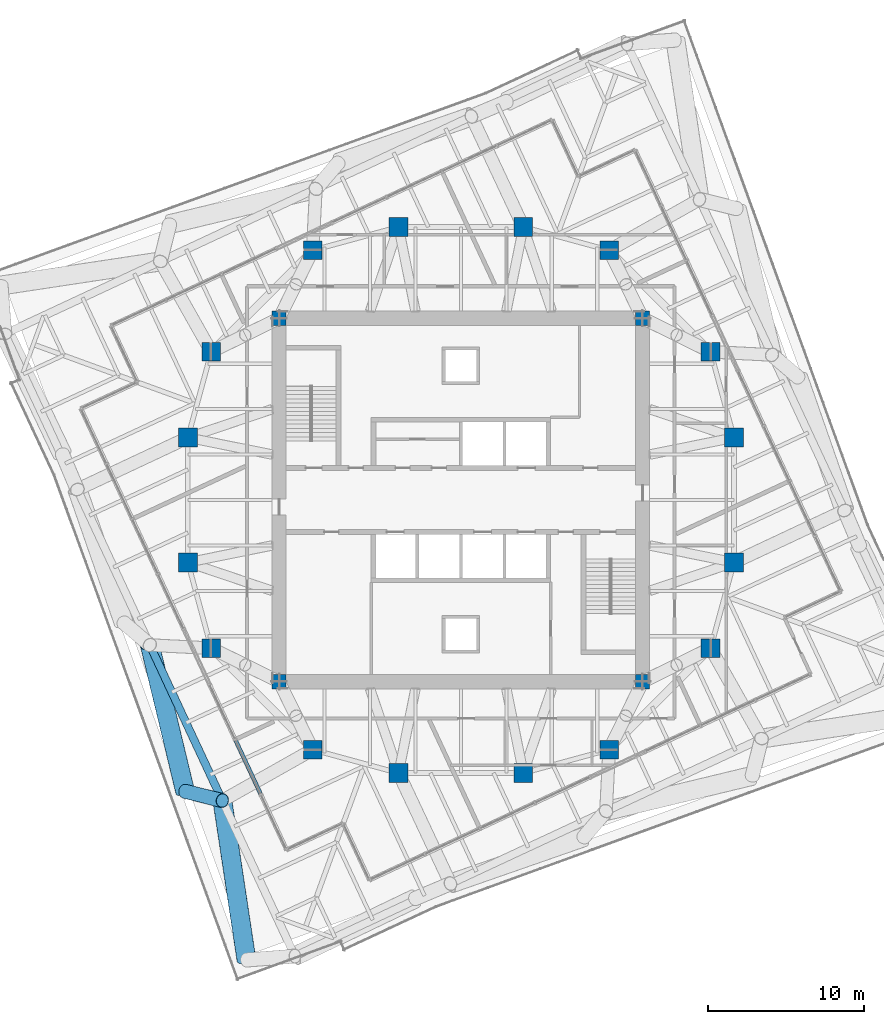
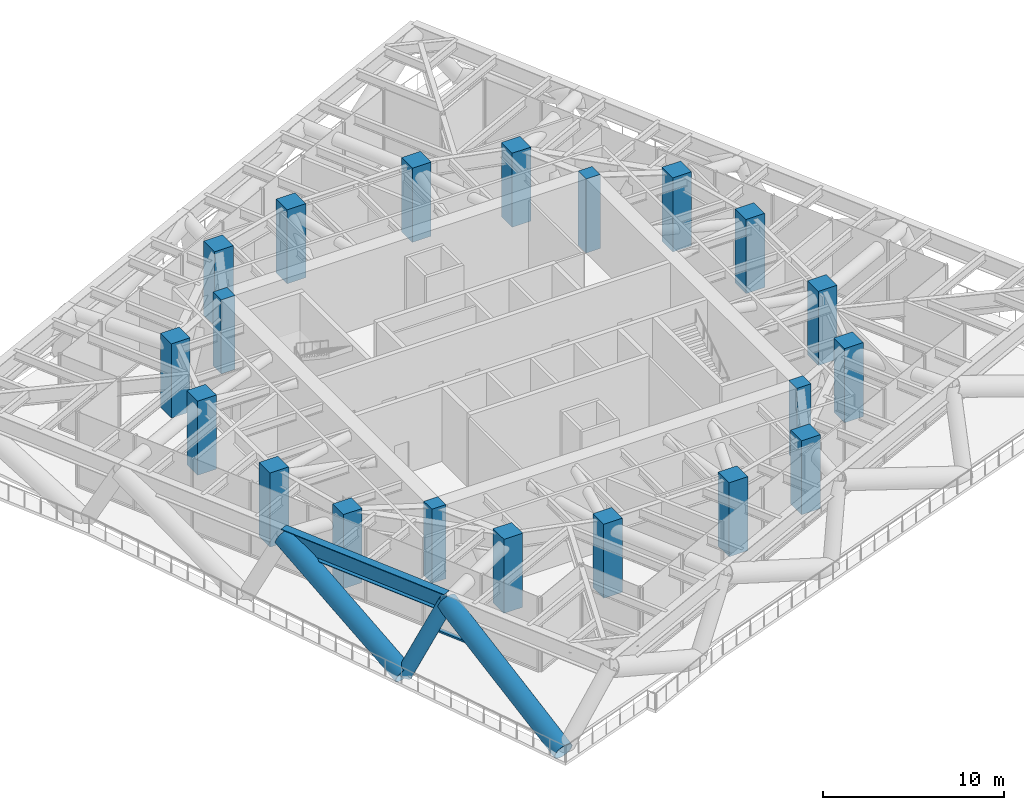
# One storey, part 1 of 16: 20 columns, 4 members, 1 beam, 1 element without a shape of its own.
"""IFC4 building model written with IfcOpenShell, lengths in metres."""

from ifc_helpers import new_model, si_unit, direction, frame, origin, origin_2d, place, context, subcontext, project, spatial, rectangle, hollow_circle, i_section, extrude, material, material_profile, profile_set, type_object, element, aggregate, save


model = new_model("IFC4")

# Units and contexts
model_context = context("Model", 3, precision=1e-05, world=origin(), true_north=direction((0.0, 1.0)))
body_context = subcontext(model_context, "Body", "Model", "MODEL_VIEW")
ifc_project = project(units=[si_unit("LENGTHUNIT", "METRE"), si_unit("AREAUNIT", "SQUARE_METRE"), si_unit("VOLUMEUNIT", "CUBIC_METRE"), si_unit("PLANEANGLEUNIT", "RADIAN"), si_unit("MASSUNIT", "GRAM", prefix="KILO")], contexts=[model_context])

# Site, building, storey
site_placement = place(None, origin())
site = spatial("IfcSite", under=ifc_project, at=site_placement, CompositionType="ELEMENT")
building_placement = place(site_placement, origin())
building = spatial("IfcBuilding", under=site, at=building_placement, Name="Torsade Residences", CompositionType="ELEMENT")
storey_placement = place(building_placement, frame((0.0, 0.0, 171.0)))
storey = spatial("IfcBuildingStorey", under=building, at=storey_placement, Name="L47", CompositionType="ELEMENT", Elevation=171.0)

# Columns
ifc_material_1 = material(Name="Concrete 80 MPa", Category="concrete")
ifc_material_profile_1 = material_profile(ifc_material_1, rectangle(XDim=0.89990234375, YDim=0.89990234375, at=origin_2d()), Name="RC 900x900")
ifc_profile_set_1 = profile_set([ifc_material_profile_1], Name="Concrete 80 MPa")
column_type_1 = type_object("IfcColumnType", Name="CORE CORNER COLUMN RC 900x900", PredefinedType="COLUMN", material=ifc_profile_set_1)
for number, where, z_axis, x_axis, name in (
    (1, (28.35009765625, 18.35009765625, 0.0), (0.0, 0.0, 1.0), (1.0, 0.0, 0.0), "Core corner column CC1 L47"),
    (2, (51.64990234375, 18.35009765625, 0.0), (0.0, 0.0, 1.0), (1.0, 0.0, 0.0), "Core corner column CC2 L47"),
    (3, (51.64990234375, 41.64990234375, 0.0), (0.0, 0.0, 1.0), (1.0, 0.0, 0.0), "Core corner column CC3 L47"),
    (4, (28.35009765625, 41.64990234375, 0.0), (0.0, 0.0, 1.0), (1.0, 0.0, 0.0), "Core corner column CC4 L47"),
):
    element("IfcColumn", number, at=place(storey_placement, frame(where, z_axis=z_axis, x_axis=x_axis)), inside=storey, type_object=column_type_1, Name=name, PredefinedType="COLUMN", context=body_context, shape_type="SweptSolid", body=[
        extrude(rectangle(XDim=0.89990234375, YDim=0.89990234375, at=origin_2d()), origin(), (0.0, 0.0, 1.0), 5.0),
    ])
ifc_material_2 = material(Name="Concrete 80 MPa", Category="concrete")
ifc_material_profile_2 = material_profile(ifc_material_2, rectangle(XDim=1.199951171875, YDim=1.199951171875, at=origin_2d()), Name="RC 1200x1200")
ifc_profile_set_2 = profile_set([ifc_material_profile_2], Name="Concrete 80 MPa")
column_type_2 = type_object("IfcColumnType", Name="INNER RING COLUMN RC 1200x1200", PredefinedType="COLUMN", material=ifc_profile_set_2)
for number, where, z_axis, x_axis, name in (
    (5, (57.5, 26.0, 0.0), (0.0, 0.0, 1.0), (1.0, 0.0, 0.0), "Inner ring column IR01 L47"),
    (6, (57.5, 34.0, 0.0), (0.0, 0.0, 1.0), (1.0, 0.0, 0.0), "Inner ring column IR02 L47"),
    (7, (56.0, 39.5, 0.0), (0.0, 0.0, 1.0), (1.0, 0.0, 0.0), "Inner ring column IR03 L47"),
    (8, (49.5, 46.0, 0.0), (0.0, 0.0, 1.0), (1.0, 0.0, 0.0), "Inner ring column IR04 L47"),
    (9, (44.0, 47.5, 0.0), (0.0, 0.0, 1.0), (1.0, 0.0, 0.0), "Inner ring column IR05 L47"),
    (10, (36.0, 47.5, 0.0), (0.0, 0.0, 1.0), (1.0, 0.0, 0.0), "Inner ring column IR06 L47"),
    (11, (30.5, 46.0, 0.0), (0.0, 0.0, 1.0), (1.0, 0.0, 0.0), "Inner ring column IR07 L47"),
    (12, (24.0, 39.5, 0.0), (0.0, 0.0, 1.0), (1.0, 0.0, 0.0), "Inner ring column IR08 L47"),
    (13, (22.5, 34.0, 0.0), (0.0, 0.0, 1.0), (1.0, 0.0, 0.0), "Inner ring column IR09 L47"),
    (14, (22.5, 26.0, 0.0), (0.0, 0.0, 1.0), (1.0, 0.0, 0.0), "Inner ring column IR10 L47"),
    (15, (24.0, 20.5, 0.0), (0.0, 0.0, 1.0), (1.0, 0.0, 0.0), "Inner ring column IR11 L47"),
    (16, (30.5, 14.0, 0.0), (0.0, 0.0, 1.0), (1.0, 0.0, 0.0), "Inner ring column IR12 L47"),
    (17, (36.0, 12.5, 0.0), (0.0, 0.0, 1.0), (1.0, 0.0, 0.0), "Inner ring column IR13 L47"),
    (18, (44.0, 12.5, 0.0), (0.0, 0.0, 1.0), (1.0, 0.0, 0.0), "Inner ring column IR14 L47"),
    (19, (49.5, 14.0, 0.0), (0.0, 0.0, 1.0), (1.0, 0.0, 0.0), "Inner ring column IR15 L47"),
    (20, (56.0, 20.5, 0.0), (0.0, 0.0, 1.0), (1.0, 0.0, 0.0), "Inner ring column IR16 L47"),
):
    element("IfcColumn", number, at=place(storey_placement, frame(where, z_axis=z_axis, x_axis=x_axis)), inside=storey, type_object=column_type_2, Name=name, PredefinedType="COLUMN", context=body_context, shape_type="SweptSolid", body=[
        extrude(rectangle(XDim=1.199951171875, YDim=1.199951171875, at=origin_2d()), origin(), (0.0, 0.0, 1.0), 5.0),
    ])

# Curtain wall, member
ifc_material_3 = material(Name="Aluminium and glass", Category="aluminium")
curtain_wall_type = type_object("IfcCurtainWallType", Name="TRANSFER LEVEL CURTAIN WALL LOW ZONE", PredefinedType="NOTDEFINED", material=ifc_material_3)
curtain_wall_placement = place(storey_placement, origin())
curtain_wall = element("IfcCurtainWall", 21, at=curtain_wall_placement, inside=storey, type_object=curtain_wall_type, Name="Curtain wall L47 face 10", PredefinedType="NOTDEFINED")
ifc_material_4 = material(Name="Aluminium transom", Category="aluminium")
ifc_material_profile_3 = material_profile(ifc_material_4, rectangle(XDim=0.25, YDim=0.1201171875, at=origin_2d()), Name="TRANSFER LEVEL CURTAIN WALL TRANSOM 250x120")
ifc_profile_set_3 = profile_set([ifc_material_profile_3], Name="Aluminium transom")
member_type_1 = type_object("IfcMemberType", Name="TRANSFER LEVEL CURTAIN WALL TRANSOM 250x120", PredefinedType="USERDEFINED", material=ifc_profile_set_3)
member_1_placement = place(storey_placement, frame((25.553955078125, 14.60205078125, 0.06005859375), z_axis=(0.422632203217, -0.906301285889, 0.0), x_axis=(0.906301285889, 0.422632203217, 0.0)))
member_1 = element("IfcMember", 22, at=member_1_placement, type_object=member_type_1, Name="Transom 7.1", ObjectType="TRANSOM", PredefinedType="USERDEFINED", context=body_context, shape_type="SweptSolid", body=[
    extrude(rectangle(XDim=0.25, YDim=0.1201171875, at=origin_2d()), origin(), (0.0, 0.0, 1.0), 3.7998046875),
])
aggregate(curtain_wall, [member_1])

# Beam
ifc_material_5 = material(Name="Steel grade 300", Category="steel")
ifc_material_profile_4 = material_profile(ifc_material_5, i_section(OverallWidth=0.5, OverallDepth=1.199951171875, WebThickness=0.01611328125, FlangeThickness=0.0400390625, at=origin_2d()), Name="1200WB455")
ifc_profile_set_4 = profile_set([ifc_material_profile_4], Name="Steel grade 300")
beam_type = type_object("IfcBeamType", Name="TRANSFER TRUSS CHORD 1200WB455", PredefinedType="USERDEFINED", material=ifc_profile_set_4)
beam_placement = place(storey_placement, frame((20.061279296875, 20.702392578125, 4.25), z_axis=(0.422605988587, -0.906313510001, 0.0), x_axis=(0.906313510001, 0.422605988587, 0.0)))
element("IfcBeam", 23, at=beam_placement, inside=storey, type_object=beam_type, Name="Transfer truss TT5 top chord 15", ObjectType="TRANSFER TRUSS CHORD", PredefinedType="USERDEFINED", context=body_context, shape_type="SweptSolid", body=[
    extrude(i_section(OverallWidth=0.5, OverallDepth=1.199951171875, WebThickness=0.01611328125, FlangeThickness=0.0400390625, at=origin_2d()), origin(), (0.0, 0.0, 1.0), 11.0),
])

# Members
ifc_material_6 = material(Name="Steel grade 450", Category="steel")
ifc_material_profile_5 = material_profile(ifc_material_6, hollow_circle(Radius=0.609619140625, WallThickness=0.0400390625, at=origin_2d()), Name="1219.0x40.0CHS")
ifc_profile_set_5 = profile_set([ifc_material_profile_5], Name="Steel grade 450")
member_type_2 = type_object("IfcMemberType", Name="TRANSFER TRUSS DIAGONAL 1219.0x40.0CHS", PredefinedType="BRACE", material=ifc_profile_set_5)
member_2_placement = place(storey_placement, frame((22.3203125, 11.3271484375, -0.199951171875), z_axis=(-0.212699810755, 0.882728351109, 0.41898621535), x_axis=(-0.97217571666, -0.234252803475, 0.0)))
element("IfcMember", 24, at=member_2_placement, inside=storey, type_object=member_type_2, Name="Transfer truss TT5 diagonal 15", PredefinedType="BRACE", context=body_context, shape_type="SweptSolid", body=[
    extrude(hollow_circle(Radius=0.609619140625, WallThickness=0.0400390625, at=origin_2d()), origin(), (0.0, 0.0, 1.0), 10.620849609375),
])
member_3_placement = place(storey_placement, frame((26.25341796875, 0.5205078125, -0.199951171875), z_axis=(-0.137242281823, 0.90807412981, 0.395684130147), x_axis=(-0.988771029636, -0.149438452053, 0.0)))
element("IfcMember", 25, at=member_3_placement, inside=storey, type_object=member_type_2, Name="Transfer truss TT5 diagonal 16", PredefinedType="BRACE", context=body_context, shape_type="SweptSolid", body=[
    extrude(hollow_circle(Radius=0.609619140625, WallThickness=0.0400390625, at=origin_2d()), origin(), (0.0, 0.0, 1.0), 11.246337890625),
])
ifc_material_7 = material(Name="Steel grade 450", Category="steel")
ifc_material_profile_6 = material_profile(ifc_material_7, hollow_circle(Radius=0.45703125, WallThickness=0.028076171875, at=origin_2d()), Name="914.0x28.0CHS")
ifc_profile_set_6 = profile_set([ifc_material_profile_6], Name="Steel grade 450")
member_type_3 = type_object("IfcMemberType", Name="TRANSFER TRUSS RAKING STRUT 914.0x28.0CHS", PredefinedType="STRUT", material=ifc_profile_set_6)
member_4_placement = place(storey_placement, frame((22.3203125, 11.3271484375, -0.199951171875), z_axis=(0.469864570325, -0.116842088697, 0.874971549173), x_axis=(0.241322350001, 0.970445013069, 0.0)))
element("IfcMember", 26, at=member_4_placement, inside=storey, type_object=member_type_3, Name="Transfer truss TT5 raking strut 16", PredefinedType="STRUT", context=body_context, shape_type="SweptSolid", body=[
    extrude(hollow_circle(Radius=0.45703125, WallThickness=0.028076171875, at=origin_2d()), origin(), (0.0, 0.0, 1.0), 5.0859375),
])

save(model, "model.ifc")
